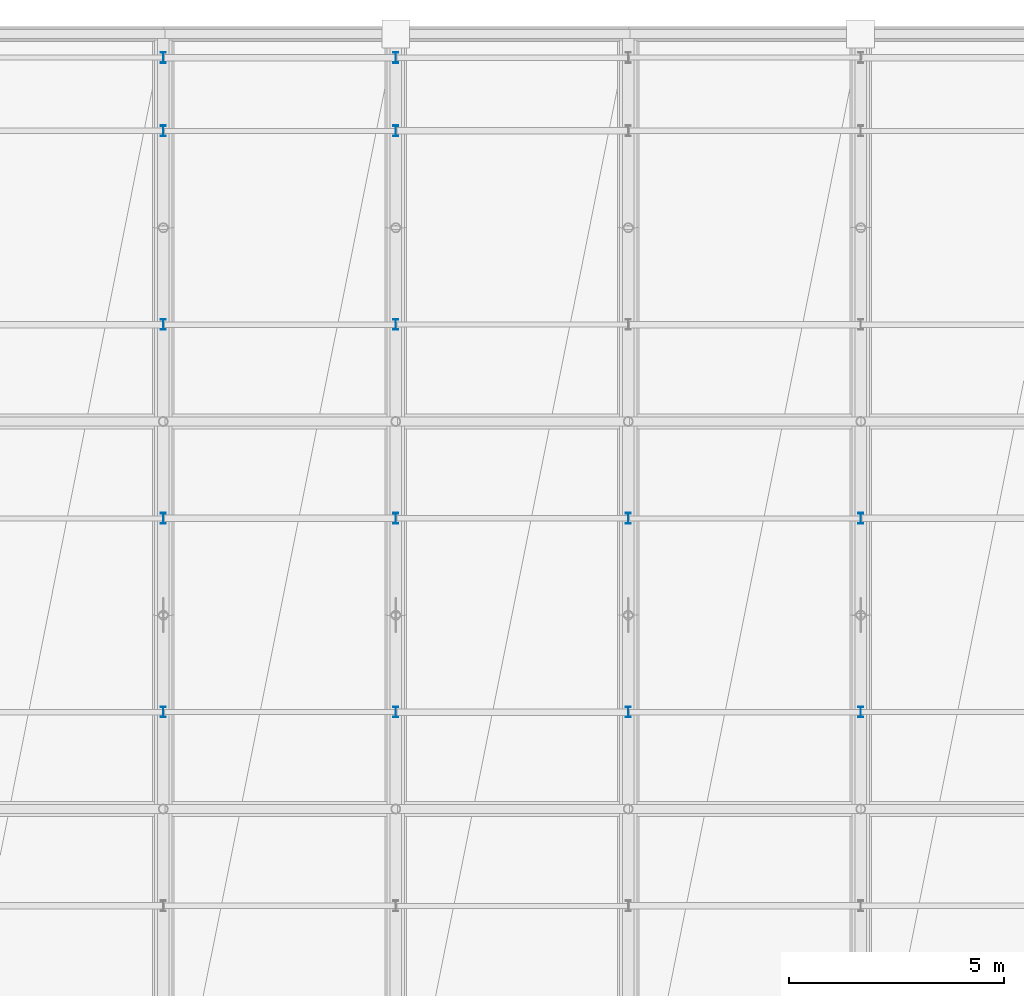
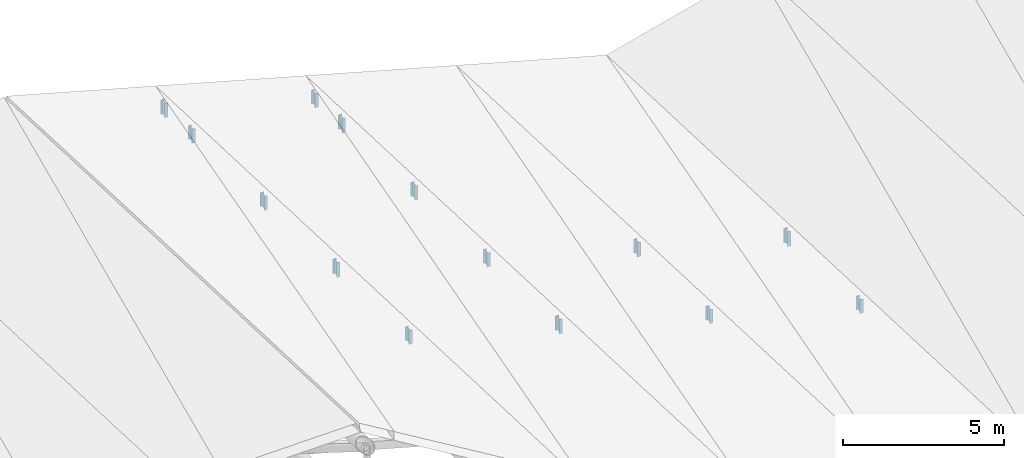
# One storey, part 74 of 109: 14 members.
"""IFC4 building model written with IfcOpenShell, lengths in metres."""

from ifc_helpers import new_model, si_unit, direction, frame, origin, origin_2d, place, context, subcontext, project, spatial, i_section, extrude, material, material_profile, profile_set, type_object, element, save


model = new_model("IFC4")

# Units and contexts
model_context = context("Model", 3, precision=1e-05, world=origin(), true_north=direction((0.0, 1.0)))
body_context = subcontext(model_context, "Body", "Model", "MODEL_VIEW")
ifc_project = project(units=[si_unit("LENGTHUNIT", "METRE"), si_unit("AREAUNIT", "SQUARE_METRE"), si_unit("VOLUMEUNIT", "CUBIC_METRE"), si_unit("PLANEANGLEUNIT", "RADIAN"), si_unit("MASSUNIT", "GRAM", prefix="KILO")], contexts=[model_context])

# Site, building, storey
site_placement = place(None, origin())
site = spatial("IfcSite", under=ifc_project, at=site_placement, CompositionType="ELEMENT")
building_placement = place(site_placement, origin())
building = spatial("IfcBuilding", under=site, at=building_placement, Name="Suirenkawa Promenade Aquatics Centre", CompositionType="ELEMENT")
storey_placement = place(building_placement, frame((0.0, 0.0, 22.800048828125)))
storey = spatial("IfcBuildingStorey", under=building, at=storey_placement, Name="ROOF", CompositionType="ELEMENT", Elevation=22.800048828125)

# Members
ifc_material = material(Name="Steel IS 2062 E350 (Grade 350)", Category="steel")
ifc_material_profile = material_profile(ifc_material, i_section(OverallWidth=0.125, OverallDepth=0.25, WebThickness=0.007080078125, FlangeThickness=0.012939453125, at=origin_2d()), Name="ISMB 250", Category="steel")
ifc_profile_set = profile_set([ifc_material_profile], Name="Steel IS 2062 E350 (Grade 350)")
member_type = type_object("IfcMemberType", Name="MT-WEB-CHS168", PredefinedType="BRACE", material=ifc_profile_set)
member_1_placement = place(storey_placement, frame((73.800048828125, 106.64990234375, -5.3779296875), z_axis=(0.0, 0.0, 1.0), x_axis=(1.0, 0.0, 0.0)))
element("IfcMember", 1, at=member_1_placement, inside=storey, type_object=member_type, Name="ROOF TRUSS Purlin cleat post TD-03 MB-1858", PredefinedType="BRACE", context=body_context, shape_type="SweptSolid", body=[
    extrude(i_section(OverallWidth=0.125, OverallDepth=0.25, WebThickness=0.007080078125, FlangeThickness=0.012939453125, at=origin_2d()), origin(), (0.0, 0.0, 1.0), 0.52783203125),
])
member_2_placement = place(storey_placement, frame((73.800048828125, 111.14990234375, -5.56201171875), z_axis=(0.0, 0.0, 1.0), x_axis=(1.0, 0.0, 0.0)))
element("IfcMember", 2, at=member_2_placement, inside=storey, type_object=member_type, Name="ROOF TRUSS Purlin cleat post TD-03 MB-1860", PredefinedType="BRACE", context=body_context, shape_type="SweptSolid", body=[
    extrude(i_section(OverallWidth=0.125, OverallDepth=0.25, WebThickness=0.007080078125, FlangeThickness=0.012939453125, at=origin_2d()), origin(), (0.0, 0.0, 1.0), 0.553955078125),
])
member_3_placement = place(storey_placement, frame((73.800048828125, 115.64990234375, -5.7451171875), z_axis=(0.0, 0.0, 1.0), x_axis=(1.0, 0.0, 0.0)))
element("IfcMember", 3, at=member_3_placement, inside=storey, type_object=member_type, Name="ROOF TRUSS Purlin cleat post TD-03 MB-1862", PredefinedType="BRACE", context=body_context, shape_type="SweptSolid", body=[
    extrude(i_section(OverallWidth=0.125, OverallDepth=0.25, WebThickness=0.007080078125, FlangeThickness=0.012939453125, at=origin_2d()), origin(), (0.0, 0.0, 1.0), 0.528076171875),
])
member_4_placement = place(storey_placement, frame((73.800048828125, 120.14990234375, -5.927978515625), z_axis=(0.0, 0.0, 1.0), x_axis=(1.0, 0.0, 0.0)))
element("IfcMember", 4, at=member_4_placement, inside=storey, type_object=member_type, Name="ROOF TRUSS Purlin cleat post TD-03 MB-1864", PredefinedType="BRACE", context=body_context, shape_type="SweptSolid", body=[
    extrude(i_section(OverallWidth=0.125, OverallDepth=0.25, WebThickness=0.007080078125, FlangeThickness=0.012939453125, at=origin_2d()), origin(), (0.0, 0.0, 1.0), 0.52783203125),
])
member_5_placement = place(storey_placement, frame((73.800048828125, 121.85009765625, -5.998046875), z_axis=(0.0, 0.0, 1.0), x_axis=(1.0, 0.0, 0.0)))
element("IfcMember", 5, at=member_5_placement, inside=storey, type_object=member_type, Name="ROOF TRUSS Purlin cleat post TD-03 MB-1866", PredefinedType="BRACE", context=body_context, shape_type="SweptSolid", body=[
    extrude(i_section(OverallWidth=0.125, OverallDepth=0.25, WebThickness=0.007080078125, FlangeThickness=0.012939453125, at=origin_2d()), origin(), (0.0, 0.0, 1.0), 0.553955078125),
])
member_6_placement = place(storey_placement, frame((79.199951171875, 106.64990234375, -6.8779296875), z_axis=(0.0, 0.0, 1.0), x_axis=(1.0, 0.0, 0.0)))
element("IfcMember", 6, at=member_6_placement, inside=storey, type_object=member_type, Name="ROOF TRUSS Purlin cleat post TD-03 MB-1894", PredefinedType="BRACE", context=body_context, shape_type="SweptSolid", body=[
    extrude(i_section(OverallWidth=0.125, OverallDepth=0.25, WebThickness=0.007080078125, FlangeThickness=0.012939453125, at=origin_2d()), origin(), (0.0, 0.0, 1.0), 0.552978515625),
])
for number, where, z_axis, x_axis, name in (
    (7, (79.199951171875, 111.14990234375, -7.06201171875), (0.0, 0.0, 1.0), (1.0, 0.0, 0.0), "ROOF TRUSS Purlin cleat post TD-03 MB-1896"),
    (8, (79.199951171875, 115.64990234375, -7.2451171875), (0.0, 0.0, 1.0), (1.0, 0.0, 0.0), "ROOF TRUSS Purlin cleat post TD-03 MB-1898"),
):
    element("IfcMember", number, at=place(storey_placement, frame(where, z_axis=z_axis, x_axis=x_axis)), inside=storey, type_object=member_type, Name=name, PredefinedType="BRACE", context=body_context, shape_type="SweptSolid", body=[
        extrude(i_section(OverallWidth=0.125, OverallDepth=0.25, WebThickness=0.007080078125, FlangeThickness=0.012939453125, at=origin_2d()), origin(), (0.0, 0.0, 1.0), 0.528076171875),
    ])
member_7_placement = place(storey_placement, frame((79.199951171875, 120.14990234375, -7.427978515625), z_axis=(0.0, 0.0, 1.0), x_axis=(1.0, 0.0, 0.0)))
element("IfcMember", 9, at=member_7_placement, inside=storey, type_object=member_type, Name="ROOF TRUSS Purlin cleat post TD-03 MB-1900", PredefinedType="BRACE", context=body_context, shape_type="SweptSolid", body=[
    extrude(i_section(OverallWidth=0.125, OverallDepth=0.25, WebThickness=0.007080078125, FlangeThickness=0.012939453125, at=origin_2d()), origin(), (0.0, 0.0, 1.0), 0.552978515625),
])
member_8_placement = place(storey_placement, frame((79.199951171875, 121.85009765625, -7.498046875), z_axis=(0.0, 0.0, 1.0), x_axis=(1.0, 0.0, 0.0)))
element("IfcMember", 10, at=member_8_placement, inside=storey, type_object=member_type, Name="ROOF TRUSS Purlin cleat post TD-03 MB-1902", PredefinedType="BRACE", context=body_context, shape_type="SweptSolid", body=[
    extrude(i_section(OverallWidth=0.125, OverallDepth=0.25, WebThickness=0.007080078125, FlangeThickness=0.012939453125, at=origin_2d()), origin(), (0.0, 0.0, 1.0), 0.528076171875),
])
member_9_placement = place(storey_placement, frame((84.60009765625, 106.64990234375, -8.3779296875), z_axis=(0.0, 0.0, 1.0), x_axis=(1.0, 0.0, 0.0)))
element("IfcMember", 11, at=member_9_placement, inside=storey, type_object=member_type, Name="ROOF TRUSS Purlin cleat post TD-03 MB-1930", PredefinedType="BRACE", context=body_context, shape_type="SweptSolid", body=[
    extrude(i_section(OverallWidth=0.125, OverallDepth=0.25, WebThickness=0.007080078125, FlangeThickness=0.012939453125, at=origin_2d()), origin(), (0.0, 0.0, 1.0), 0.52685546875),
])
member_10_placement = place(storey_placement, frame((84.60009765625, 111.14990234375, -8.56201171875), z_axis=(0.0, 0.0, 1.0), x_axis=(1.0, 0.0, 0.0)))
element("IfcMember", 12, at=member_10_placement, inside=storey, type_object=member_type, Name="ROOF TRUSS Purlin cleat post TD-03 MB-1932", PredefinedType="BRACE", context=body_context, shape_type="SweptSolid", body=[
    extrude(i_section(OverallWidth=0.125, OverallDepth=0.25, WebThickness=0.007080078125, FlangeThickness=0.012939453125, at=origin_2d()), origin(), (0.0, 0.0, 1.0), 0.529052734375),
])
member_11_placement = place(storey_placement, frame((90.0, 106.64990234375, -9.8779296875), z_axis=(0.0, 0.0, 1.0), x_axis=(1.0, 0.0, 0.0)))
element("IfcMember", 13, at=member_11_placement, inside=storey, type_object=member_type, Name="ROOF TRUSS Purlin cleat post TD-03 MB-1966", PredefinedType="BRACE", context=body_context, shape_type="SweptSolid", body=[
    extrude(i_section(OverallWidth=0.125, OverallDepth=0.25, WebThickness=0.007080078125, FlangeThickness=0.012939453125, at=origin_2d()), origin(), (0.0, 0.0, 1.0), 0.52783203125),
])
member_12_placement = place(storey_placement, frame((90.0, 111.14990234375, -10.06201171875), z_axis=(0.0, 0.0, 1.0), x_axis=(1.0, 0.0, 0.0)))
element("IfcMember", 14, at=member_12_placement, inside=storey, type_object=member_type, Name="ROOF TRUSS Purlin cleat post TD-03 MB-1968", PredefinedType="BRACE", context=body_context, shape_type="SweptSolid", body=[
    extrude(i_section(OverallWidth=0.125, OverallDepth=0.25, WebThickness=0.007080078125, FlangeThickness=0.012939453125, at=origin_2d()), origin(), (0.0, 0.0, 1.0), 0.553955078125),
])

save(model, "model.ifc")
